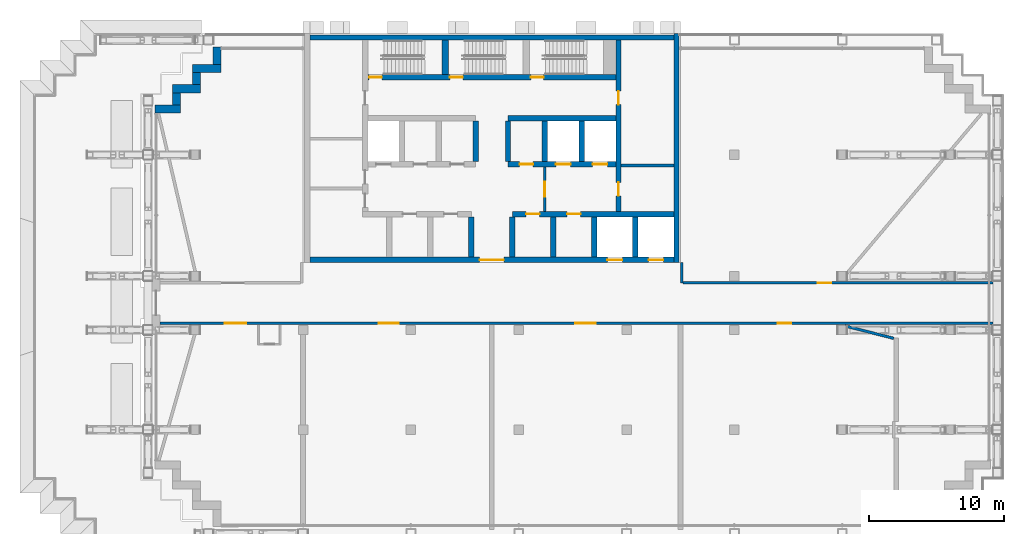
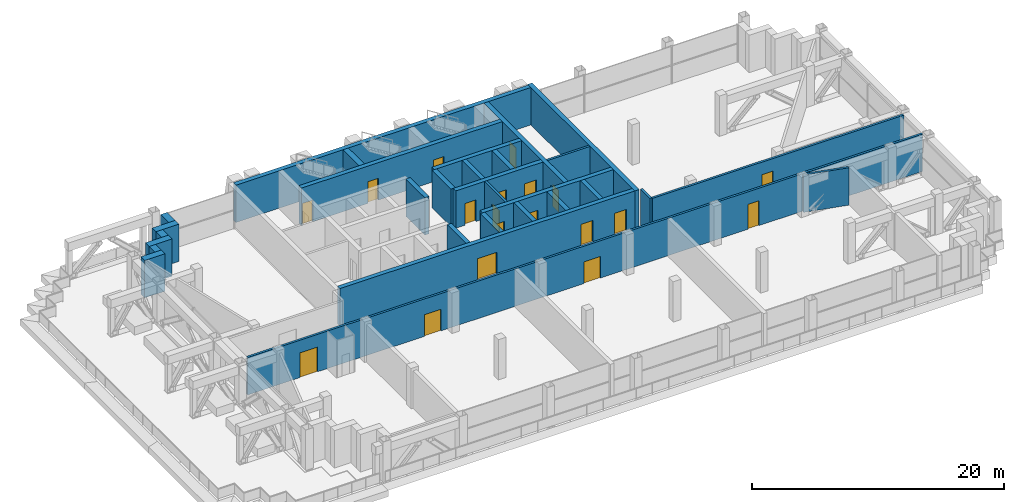
# One storey, part 8 of 21: 30 walls, 19 doors, 19 openings.
"""IFC4 building model written with IfcOpenShell, lengths in metres."""

from ifc_helpers import new_model, si_unit, direction, frame, frame_2d, origin, place, context, subcontext, project, spatial, rectangle, extrude, material, layer, layer_set, type_object, element, fill, save


model = new_model("IFC4")

# Units and contexts
model_context = context("Model", 3, precision=1e-05, world=origin(), true_north=direction((0.0, 1.0)))
body_context = subcontext(model_context, "Body", "Model", "MODEL_VIEW")
ifc_project = project(units=[si_unit("LENGTHUNIT", "METRE"), si_unit("AREAUNIT", "SQUARE_METRE"), si_unit("VOLUMEUNIT", "CUBIC_METRE"), si_unit("PLANEANGLEUNIT", "RADIAN"), si_unit("MASSUNIT", "GRAM", prefix="KILO")], contexts=[model_context])

# Site, building, storey
site_placement = place(None, origin())
site = spatial("IfcSite", under=ifc_project, at=site_placement, CompositionType="ELEMENT")
building_placement = place(site_placement, origin())
building = spatial("IfcBuilding", under=site, at=building_placement, Name="Vidyagriha Tower", CompositionType="ELEMENT")
storey_placement = place(building_placement, frame((0.0, 0.0, 161.39990234375)))
storey = spatial("IfcBuildingStorey", under=building, at=storey_placement, Name="L41", CompositionType="ELEMENT", Elevation=161.39990234375)

# Walls
ifc_material_1 = material(Name="Precast concrete C40/50 with brick facing", Category="concrete")
ifc_layer_1 = layer(ifc_material_1, 0.60009765625)
ifc_layer_set_1 = layer_set([ifc_layer_1], Name="Precast concrete C40/50 with brick facing")
wall_type_1 = type_object("IfcWallType", Name="Brick-faced precast wall 600", PredefinedType="STANDARD", material=ifc_layer_set_1)
wall_1_placement = place(storey_placement, frame((-20.39990234375, 18.97998046875, 0.0), z_axis=(0.0, 0.0, 1.0), x_axis=(0.0, -1.0, 0.0)))
element("IfcWall", 1, at=wall_1_placement, inside=storey, type_object=wall_type_1, Name="Stepped corner wall L41 R10", PredefinedType="STANDARD", context=body_context, shape_type="SweptSolid", body=[
    extrude(rectangle(XDim=1.280029296875, YDim=0.60009765625, at=frame_2d((0.64013671875, 0.0))), origin(), (0.0, 0.0, 1.0), 3.6201171875),
])
wall_2_placement = place(storey_placement, frame((-20.10009765625, 17.39990234375, 0.0), z_axis=(0.0, 0.0, 1.0), x_axis=(-1.0, 0.0, 0.0)))
element("IfcWall", 2, at=wall_2_placement, inside=storey, type_object=wall_type_1, Name="Stepped corner wall L41 R11", PredefinedType="STANDARD", context=body_context, shape_type="SweptSolid", body=[
    extrude(rectangle(XDim=2.099853515625, YDim=0.60009765625, at=frame_2d((1.0498046875, 0.0))), origin(), (0.0, 0.0, 1.0), 3.6201171875),
])
wall_3_placement = place(storey_placement, frame((-21.89990234375, 17.10009765625, 0.0), z_axis=(0.0, 0.0, 1.0), x_axis=(0.0, -1.0, 0.0)))
element("IfcWall", 3, at=wall_3_placement, inside=storey, type_object=wall_type_1, Name="Stepped corner wall L41 R12", PredefinedType="STANDARD", context=body_context, shape_type="SweptSolid", body=[
    extrude(rectangle(XDim=0.900146484375, YDim=0.60009765625, at=frame_2d((0.4501953125, 0.0))), origin(), (0.0, 0.0, 1.0), 3.6201171875),
])
wall_4_placement = place(storey_placement, frame((-21.60009765625, 15.89990234375, 0.0), z_axis=(0.0, 0.0, 1.0), x_axis=(-1.0, 0.0, 0.0)))
element("IfcWall", 4, at=wall_4_placement, inside=storey, type_object=wall_type_1, Name="Stepped corner wall L41 R13", PredefinedType="STANDARD", context=body_context, shape_type="SweptSolid", body=[
    extrude(rectangle(XDim=2.099853515625, YDim=0.60009765625, at=frame_2d((1.0498046875, 0.0))), origin(), (0.0, 0.0, 1.0), 3.6201171875),
])
wall_5_placement = place(storey_placement, frame((-23.39990234375, 15.60009765625, 0.0), z_axis=(0.0, 0.0, 1.0), x_axis=(0.0, -1.0, 0.0)))
element("IfcWall", 5, at=wall_5_placement, inside=storey, type_object=wall_type_1, Name="Stepped corner wall L41 R14", PredefinedType="STANDARD", context=body_context, shape_type="SweptSolid", body=[
    extrude(rectangle(XDim=0.900146484375, YDim=0.60009765625, at=frame_2d((0.4501953125, 0.0))), origin(), (0.0, 0.0, 1.0), 3.6201171875),
])
wall_6_placement = place(storey_placement, frame((-23.10009765625, 14.39990234375, 0.0), z_axis=(0.0, 0.0, 1.0), x_axis=(-1.0, 0.0, 0.0)))
element("IfcWall", 6, at=wall_6_placement, inside=storey, type_object=wall_type_1, Name="Stepped corner wall L41 R15", PredefinedType="STANDARD", context=body_context, shape_type="SweptSolid", body=[
    extrude(rectangle(XDim=1.8798828125, YDim=0.60009765625, at=frame_2d((0.93994140625, 0.0))), origin(), (0.0, 0.0, 1.0), 3.6201171875),
])
ifc_material_2 = material(Name="Concrete C60/75", Category="concrete")
ifc_layer_2 = layer(ifc_material_2, 0.39990234375)
ifc_layer_set_2 = layer_set([ifc_layer_2], Name="Concrete C60/75")
wall_type_2 = type_object("IfcWallType", Name="Core shear wall 400 mm", PredefinedType="SHEAR", material=ifc_layer_set_2)
wall_7_placement = place(storey_placement, frame((13.699951171875, 3.0, 0.0), z_axis=(0.0, 0.0, 1.0), x_axis=(0.0, 1.0, 0.0)))
element("IfcWall", 7, at=wall_7_placement, inside=storey, type_object=wall_type_2, Name="Core east wall", PredefinedType="SHEAR", context=body_context, shape_type="SweptSolid", body=[
    extrude(rectangle(XDim=17.0, YDim=0.39990234375, at=frame_2d((8.5, 0.0))), origin(), (0.0, 0.0, 1.0), 3.6201171875),
])
wall_8_placement = place(storey_placement, frame((-13.5, 19.699951171875, 0.0)))
element("IfcWall", 8, at=wall_8_placement, inside=storey, type_object=wall_type_2, Name="Core north wall", PredefinedType="SHEAR", context=body_context, shape_type="SweptSolid", body=[
    extrude(rectangle(XDim=27.0, YDim=0.39990234375, at=frame_2d((13.5, 0.0))), origin(), (0.0, 0.0, 1.0), 3.6201171875),
])

# Wall, openings, doors
wall_9_placement = place(storey_placement, frame((9.39990234375, 6.800048828125, 0.0), z_axis=(0.0, 0.0, 1.0), x_axis=(0.0, 1.0, 0.0)))
wall_9 = element("IfcWall", 9, at=wall_9_placement, inside=storey, type_object=wall_type_2, Name="Core east spine wall", PredefinedType="SHEAR", context=body_context, shape_type="SweptSolid", body=[
    extrude(rectangle(XDim=12.699951171875, YDim=0.39990234375, at=frame_2d((6.35009765625, 0.0))), origin(), (0.0, 0.0, 1.0), 3.6201171875),
])
opening_1_placement = place(wall_9_placement, frame((1.14990234375, 0.0, 0.0)))
opening_1 = element("IfcOpeningElement", 10, at=opening_1_placement, cuts=wall_9, Name="Opening D41-17", PredefinedType="OPENING", context=body_context, shape_type="SweptSolid", body=[
    extrude(rectangle(XDim=1.0, YDim=2.10009765625, at=frame_2d((0.5, 1.050048828125))), frame((0.0, 0.2099609375, 0.0), z_axis=(0.0, -1.0, 0.0), x_axis=(1.0, 0.0, 0.0)), (0.0, 0.0, 1.0), 0.419921875),
])
opening_2_placement = place(wall_9_placement, frame((7.925048828125, 0.0, 0.0)))
opening_2 = element("IfcOpeningElement", 11, at=opening_2_placement, cuts=wall_9, Name="Opening D41-18", PredefinedType="OPENING", context=body_context, shape_type="SweptSolid", body=[
    extrude(rectangle(XDim=1.0, YDim=2.10009765625, at=frame_2d((0.5, 1.050048828125))), frame((0.0, 0.2099609375, 0.0), z_axis=(0.0, -1.0, 0.0), x_axis=(1.0, 0.0, 0.0)), (0.0, 0.0, 1.0), 0.419921875),
])
ifc_material_3 = material(Name="Hollow metal door leaf")
door_type_1 = type_object("IfcDoorType", Name="Core room door 1000 x 2100 mm EI 60", OperationType="NOTDEFINED", PredefinedType="DOOR", material=ifc_material_3)
door_1_placement = place(opening_1_placement, origin())
door_1 = element("IfcDoor", 12, at=door_1_placement, inside=storey, type_object=door_type_1, Name="Door Electrical Room 41.E1", OperationType="SINGLE_SWING_RIGHT", OverallHeight=2.10009765625, OverallWidth=1.0, PredefinedType="DOOR", context=body_context, shape_type="SweptSolid", body=[
    extrude(rectangle(XDim=1.0, YDim=2.10009765625, at=frame_2d((0.5, 1.050048828125))), frame((0.0, 0.02490234375, 0.0), z_axis=(0.0, -1.0, 0.0), x_axis=(1.0, 0.0, 0.0)), (0.0, 0.0, 1.0), 0.050048828125),
])
fill(opening_1, door_1)
door_2_placement = place(opening_2_placement, origin())
door_2 = element("IfcDoor", 13, at=door_2_placement, inside=storey, type_object=door_type_1, Name="Door Refuse Room 41.E2", OperationType="SINGLE_SWING_LEFT", OverallHeight=2.10009765625, OverallWidth=1.0, PredefinedType="DOOR", context=body_context, shape_type="SweptSolid", body=[
    extrude(rectangle(XDim=1.0, YDim=2.10009765625, at=frame_2d((0.5, 1.050048828125))), frame((0.0, 0.02490234375, 0.0), z_axis=(0.0, -1.0, 0.0), x_axis=(1.0, 0.0, 0.0)), (0.0, 0.0, 1.0), 0.050048828125),
])
fill(opening_2, door_2)

wall_10_placement = place(storey_placement, frame((-13.5, 3.199951171875, 0.0)))
wall_10 = element("IfcWall", 14, at=wall_10_placement, inside=storey, type_object=wall_type_2, Name="Core front wall", PredefinedType="SHEAR", context=body_context, shape_type="SweptSolid", body=[
    extrude(rectangle(XDim=27.0, YDim=0.39990234375, at=frame_2d((13.5, 0.0))), origin(), (0.0, 0.0, 1.0), 3.6201171875),
])
opening_3_placement = place(wall_10_placement, frame((22.083251953125, 0.0, 0.0)))
opening_3 = element("IfcOpeningElement", 15, at=opening_3_placement, cuts=wall_10, Name="Opening LD41-01", PredefinedType="OPENING", context=body_context, shape_type="SweptSolid", body=[
    extrude(rectangle(XDim=1.10009765625, YDim=2.10009765625, at=frame_2d((0.550048828125, 1.050048828125))), frame((0.0, 0.2099609375, 0.0), z_axis=(0.0, -1.0, 0.0), x_axis=(1.0, 0.0, 0.0)), (0.0, 0.0, 1.0), 0.419921875),
])
opening_4_placement = place(wall_10_placement, frame((25.127685546875, 0.0, 0.0)))
opening_4 = element("IfcOpeningElement", 16, at=opening_4_placement, cuts=wall_10, Name="Opening LD41-02", PredefinedType="OPENING", context=body_context, shape_type="SweptSolid", body=[
    extrude(rectangle(XDim=1.10009765625, YDim=2.10009765625, at=frame_2d((0.550048828125, 1.050048828125))), frame((0.0, 0.2099609375, 0.0), z_axis=(0.0, -1.0, 0.0), x_axis=(1.0, 0.0, 0.0)), (0.0, 0.0, 1.0), 0.419921875),
])
opening_5_placement = place(wall_10_placement, frame((12.60009765625, 0.0, 0.0)))
opening_5 = element("IfcOpeningElement", 17, at=opening_5_placement, cuts=wall_10, Name="Opening D41-02", PredefinedType="OPENING", context=body_context, shape_type="SweptSolid", body=[
    extrude(rectangle(XDim=1.800048828125, YDim=2.10009765625, at=frame_2d((0.89990234375, 1.050048828125))), frame((0.0, 0.2099609375, 0.0), z_axis=(0.0, -1.0, 0.0), x_axis=(1.0, 0.0, 0.0)), (0.0, 0.0, 1.0), 0.419921875),
])
ifc_material_4 = material(Name="Hollow metal door leaf")
door_type_2 = type_object("IfcDoorType", Name="Core lobby double door 1800 x 2100 mm EI 60", OperationType="NOTDEFINED", PredefinedType="DOOR", material=ifc_material_4)
door_3_placement = place(opening_5_placement, frame((1.800048828125, 0.0, 0.0), z_axis=(0.0, 0.0, 1.0), x_axis=(-1.0, 0.0, 0.0)))
door_3 = element("IfcDoor", 18, at=door_3_placement, inside=storey, type_object=door_type_2, Name="Core entrance door L41", OperationType="DOUBLE_DOOR_SINGLE_SWING", OverallHeight=2.10009765625, OverallWidth=1.800048828125, PredefinedType="DOOR", context=body_context, shape_type="SweptSolid", body=[
    extrude(rectangle(XDim=1.800048828125, YDim=2.10009765625, at=frame_2d((0.89990234375, 1.050048828125))), frame((0.0, 0.02490234375, 0.0), z_axis=(0.0, -1.0, 0.0), x_axis=(1.0, 0.0, 0.0)), (0.0, 0.0, 1.0), 0.050048828125),
])
fill(opening_5, door_3)
ifc_material_5 = material(Name="Stainless steel sliding door panel", Category="steel")
door_type_3 = type_object("IfcDoorType", Name="Lift landing door 1100 x 2100 mm EI 90", OperationType="NOTDEFINED", PredefinedType="DOOR", material=ifc_material_5)
door_4_placement = place(opening_3_placement, origin())
door_4 = element("IfcDoor", 19, at=door_4_placement, inside=storey, type_object=door_type_3, Name="Landing door MR1 L41", OperationType="SLIDING_TO_LEFT", OverallHeight=2.10009765625, OverallWidth=1.10009765625, PredefinedType="DOOR", context=body_context, shape_type="SweptSolid", body=[
    extrude(rectangle(XDim=1.10009765625, YDim=2.10009765625, at=frame_2d((0.550048828125, 1.050048828125))), frame((0.0, 0.02490234375, 0.0), z_axis=(0.0, -1.0, 0.0), x_axis=(1.0, 0.0, 0.0)), (0.0, 0.0, 1.0), 0.050048828125),
])
fill(opening_3, door_4)
door_5_placement = place(opening_4_placement, origin())
door_5 = element("IfcDoor", 20, at=door_5_placement, inside=storey, type_object=door_type_3, Name="Landing door MR2 L41", OperationType="SLIDING_TO_LEFT", OverallHeight=2.10009765625, OverallWidth=1.10009765625, PredefinedType="DOOR", context=body_context, shape_type="SweptSolid", body=[
    extrude(rectangle(XDim=1.10009765625, YDim=2.10009765625, at=frame_2d((0.550048828125, 1.050048828125))), frame((0.0, 0.02490234375, 0.0), z_axis=(0.0, -1.0, 0.0), x_axis=(1.0, 0.0, 0.0)), (0.0, 0.0, 1.0), 0.050048828125),
])
fill(opening_4, door_5)

wall_11_placement = place(storey_placement, frame((1.522216796875, 6.60009765625, 0.0)))
wall_11 = element("IfcWall", 21, at=wall_11_placement, inside=storey, type_object=wall_type_2, Name="Core lobby south wall east", PredefinedType="SHEAR", context=body_context, shape_type="SweptSolid", body=[
    extrude(rectangle(XDim=11.977783203125, YDim=0.39990234375, at=frame_2d((5.98876953125, 0.0))), origin(), (0.0, 0.0, 1.0), 3.6201171875),
])
opening_6_placement = place(wall_11_placement, frame((1.022216796875, 0.0, 0.0)))
opening_6 = element("IfcOpeningElement", 22, at=opening_6_placement, cuts=wall_11, Name="Opening D41-05", PredefinedType="OPENING", context=body_context, shape_type="SweptSolid", body=[
    extrude(rectangle(XDim=1.0, YDim=2.10009765625, at=frame_2d((0.5, 1.050048828125))), frame((0.0, 0.2099609375, 0.0), z_axis=(0.0, -1.0, 0.0), x_axis=(1.0, 0.0, 0.0)), (0.0, 0.0, 1.0), 0.419921875),
])
opening_7_placement = place(wall_11_placement, frame((4.066650390625, 0.0, 0.0)))
opening_7 = element("IfcOpeningElement", 23, at=opening_7_placement, cuts=wall_11, Name="Opening D41-06", PredefinedType="OPENING", context=body_context, shape_type="SweptSolid", body=[
    extrude(rectangle(XDim=1.0, YDim=2.10009765625, at=frame_2d((0.5, 1.050048828125))), frame((0.0, 0.2099609375, 0.0), z_axis=(0.0, -1.0, 0.0), x_axis=(1.0, 0.0, 0.0)), (0.0, 0.0, 1.0), 0.419921875),
])
door_6_placement = place(opening_6_placement, origin())
door_6 = element("IfcDoor", 24, at=door_6_placement, inside=storey, type_object=door_type_1, Name="Door Electrical Room 41.03", OperationType="SINGLE_SWING_RIGHT", OverallHeight=2.10009765625, OverallWidth=1.0, PredefinedType="DOOR", context=body_context, shape_type="SweptSolid", body=[
    extrude(rectangle(XDim=1.0, YDim=2.10009765625, at=frame_2d((0.5, 1.050048828125))), frame((0.0, 0.02490234375, 0.0), z_axis=(0.0, -1.0, 0.0), x_axis=(1.0, 0.0, 0.0)), (0.0, 0.0, 1.0), 0.050048828125),
])
fill(opening_6, door_6)
door_7_placement = place(opening_7_placement, origin())
door_7 = element("IfcDoor", 25, at=door_7_placement, inside=storey, type_object=door_type_1, Name="Door Communications Room 41.04", OperationType="SINGLE_SWING_RIGHT", OverallHeight=2.10009765625, OverallWidth=1.0, PredefinedType="DOOR", context=body_context, shape_type="SweptSolid", body=[
    extrude(rectangle(XDim=1.0, YDim=2.10009765625, at=frame_2d((0.5, 1.050048828125))), frame((0.0, 0.02490234375, 0.0), z_axis=(0.0, -1.0, 0.0), x_axis=(1.0, 0.0, 0.0)), (0.0, 0.0, 1.0), 0.050048828125),
])
fill(opening_7, door_7)

# Walls
for number, where, z_axis, x_axis, name in (
    (26, (-1.522216796875, 3.39990234375, 0.0), (0.0, 0.0, 1.0), (0.0, 1.0, 0.0), "Core bay wall S4"),
    (27, (1.522216796875, 3.39990234375, 0.0), (0.0, 0.0, 1.0), (0.0, 1.0, 0.0), "Core bay wall S5"),
    (28, (4.566650390625, 3.39990234375, 0.0), (0.0, 0.0, 1.0), (0.0, 1.0, 0.0), "Core bay wall S6"),
    (29, (7.611083984375, 3.39990234375, 0.0), (0.0, 0.0, 1.0), (0.0, 1.0, 0.0), "Core bay wall S7"),
    (30, (10.655517578125, 3.39990234375, 0.0), (0.0, 0.0, 1.0), (0.0, 1.0, 0.0), "Core bay wall S8"),
):
    element("IfcWall", number, at=place(storey_placement, frame(where, z_axis=z_axis, x_axis=x_axis)), inside=storey, type_object=wall_type_2, Name=name, PredefinedType="SHEAR", context=body_context, shape_type="SweptSolid", body=[
        extrude(rectangle(XDim=3.0, YDim=0.39990234375, at=frame_2d((1.5, 0.0))), origin(), (0.0, 0.0, 1.0), 3.6201171875),
    ])

# Wall, openings, doors
wall_12_placement = place(storey_placement, frame((1.199951171875, 10.300048828125, 0.0)))
wall_12 = element("IfcWall", 31, at=wall_12_placement, inside=storey, type_object=wall_type_2, Name="Core row N front wall", PredefinedType="SHEAR", context=body_context, shape_type="SweptSolid", body=[
    extrude(rectangle(XDim=8.0, YDim=0.39990234375, at=frame_2d((4.0, 0.0))), origin(), (0.0, 0.0, 1.0), 3.6201171875),
])
opening_8_placement = place(wall_12_placement, frame((3.550048828125, 0.0, 0.0)))
opening_8 = element("IfcOpeningElement", 32, at=opening_8_placement, cuts=wall_12, Name="Opening LD41-04", PredefinedType="OPENING", context=body_context, shape_type="SweptSolid", body=[
    extrude(rectangle(XDim=1.10009765625, YDim=2.10009765625, at=frame_2d((0.550048828125, 1.050048828125))), frame((0.0, 0.2099609375, 0.0), z_axis=(0.0, -1.0, 0.0), x_axis=(1.0, 0.0, 0.0)), (0.0, 0.0, 1.0), 0.419921875),
])
opening_9_placement = place(wall_12_placement, frame((6.283203125, 0.0, 0.0)))
opening_9 = element("IfcOpeningElement", 33, at=opening_9_placement, cuts=wall_12, Name="Opening LD41-05", PredefinedType="OPENING", context=body_context, shape_type="SweptSolid", body=[
    extrude(rectangle(XDim=1.10009765625, YDim=2.10009765625, at=frame_2d((0.550048828125, 1.050048828125))), frame((0.0, 0.2099609375, 0.0), z_axis=(0.0, -1.0, 0.0), x_axis=(1.0, 0.0, 0.0)), (0.0, 0.0, 1.0), 0.419921875),
])
opening_10_placement = place(wall_12_placement, frame((0.86669921875, 0.0, 0.0)))
opening_10 = element("IfcOpeningElement", 34, at=opening_10_placement, cuts=wall_12, Name="Opening D41-09", PredefinedType="OPENING", context=body_context, shape_type="SweptSolid", body=[
    extrude(rectangle(XDim=1.0, YDim=2.10009765625, at=frame_2d((0.5, 1.050048828125))), frame((0.0, 0.2099609375, 0.0), z_axis=(0.0, -1.0, 0.0), x_axis=(1.0, 0.0, 0.0)), (0.0, 0.0, 1.0), 0.419921875),
])
door_8_placement = place(opening_10_placement, frame((1.0, 0.0, 0.0), z_axis=(0.0, 0.0, 1.0), x_axis=(-1.0, 0.0, 0.0)))
door_8 = element("IfcDoor", 35, at=door_8_placement, inside=storey, type_object=door_type_1, Name="Door Storage Room 41.16", OperationType="SINGLE_SWING_LEFT", OverallHeight=2.10009765625, OverallWidth=1.0, PredefinedType="DOOR", context=body_context, shape_type="SweptSolid", body=[
    extrude(rectangle(XDim=1.0, YDim=2.10009765625, at=frame_2d((0.5, 1.050048828125))), frame((0.0, 0.02490234375, 0.0), z_axis=(0.0, -1.0, 0.0), x_axis=(1.0, 0.0, 0.0)), (0.0, 0.0, 1.0), 0.050048828125),
])
fill(opening_10, door_8)
door_9_placement = place(opening_8_placement, origin())
door_9 = element("IfcDoor", 36, at=door_9_placement, inside=storey, type_object=door_type_3, Name="Landing door FF1 L41", OperationType="SLIDING_TO_LEFT", OverallHeight=2.10009765625, OverallWidth=1.10009765625, PredefinedType="DOOR", context=body_context, shape_type="SweptSolid", body=[
    extrude(rectangle(XDim=1.10009765625, YDim=2.10009765625, at=frame_2d((0.550048828125, 1.050048828125))), frame((0.0, 0.02490234375, 0.0), z_axis=(0.0, -1.0, 0.0), x_axis=(1.0, 0.0, 0.0)), (0.0, 0.0, 1.0), 0.050048828125),
])
fill(opening_8, door_9)
door_10_placement = place(opening_9_placement, origin())
door_10 = element("IfcDoor", 37, at=door_10_placement, inside=storey, type_object=door_type_3, Name="Landing door FF2 L41", OperationType="SLIDING_TO_LEFT", OverallHeight=2.10009765625, OverallWidth=1.10009765625, PredefinedType="DOOR", context=body_context, shape_type="SweptSolid", body=[
    extrude(rectangle(XDim=1.10009765625, YDim=2.10009765625, at=frame_2d((0.550048828125, 1.050048828125))), frame((0.0, 0.02490234375, 0.0), z_axis=(0.0, -1.0, 0.0), x_axis=(1.0, 0.0, 0.0)), (0.0, 0.0, 1.0), 0.050048828125),
])
fill(opening_9, door_10)

# Walls
wall_13_placement = place(storey_placement, frame((1.199951171875, 13.699951171875, 0.0)))
element("IfcWall", 38, at=wall_13_placement, inside=storey, type_object=wall_type_2, Name="Core row N rear wall", PredefinedType="SHEAR", context=body_context, shape_type="SweptSolid", body=[
    extrude(rectangle(XDim=8.0, YDim=0.39990234375, at=frame_2d((4.0, 0.0))), origin(), (0.0, 0.0, 1.0), 3.6201171875),
])
for number, where, z_axis, x_axis, name in (
    (39, (-1.199951171875, 10.5, 0.0), (0.0, 0.0, 1.0), (0.0, 1.0, 0.0), "Core bay wall N3"),
    (40, (1.199951171875, 10.5, 0.0), (0.0, 0.0, 1.0), (0.0, 1.0, 0.0), "Core bay wall N4"),
    (41, (3.933349609375, 10.5, 0.0), (0.0, 0.0, 1.0), (0.0, 1.0, 0.0), "Core bay wall N5"),
    (42, (6.666748046875, 10.5, 0.0), (0.0, 0.0, 1.0), (0.0, 1.0, 0.0), "Core bay wall N6"),
):
    element("IfcWall", number, at=place(storey_placement, frame(where, z_axis=z_axis, x_axis=x_axis)), inside=storey, type_object=wall_type_2, Name=name, PredefinedType="SHEAR", context=body_context, shape_type="SweptSolid", body=[
        extrude(rectangle(XDim=3.0, YDim=0.39990234375, at=frame_2d((1.5, 0.0))), origin(), (0.0, 0.0, 1.0), 3.6201171875),
    ])

# Wall, openings, doors
wall_14_placement = place(storey_placement, frame((-9.199951171875, 16.75, 0.0)))
wall_14 = element("IfcWall", 43, at=wall_14_placement, inside=storey, type_object=wall_type_2, Name="Stair front wall", PredefinedType="SHEAR", context=body_context, shape_type="SweptSolid", body=[
    extrude(rectangle(XDim=18.39990234375, YDim=0.39990234375, at=frame_2d((9.199951171875, 0.0))), origin(), (0.0, 0.0, 1.0), 3.6201171875),
])
opening_11_placement = place(wall_14_placement, frame((0.10009765625, 0.0, 0.0)))
opening_11 = element("IfcOpeningElement", 44, at=opening_11_placement, cuts=wall_14, Name="Opening D41-11", PredefinedType="OPENING", context=body_context, shape_type="SweptSolid", body=[
    extrude(rectangle(XDim=0.949951171875, YDim=2.10009765625, at=frame_2d((0.47509765625, 1.050048828125))), frame((0.0, 0.2099609375, 0.0), z_axis=(0.0, -1.0, 0.0), x_axis=(1.0, 0.0, 0.0)), (0.0, 0.0, 1.0), 0.419921875),
])
opening_12_placement = place(wall_14_placement, frame((6.10009765625, 0.0, 0.0)))
opening_12 = element("IfcOpeningElement", 45, at=opening_12_placement, cuts=wall_14, Name="Opening D41-12", PredefinedType="OPENING", context=body_context, shape_type="SweptSolid", body=[
    extrude(rectangle(XDim=0.949951171875, YDim=2.10009765625, at=frame_2d((0.47509765625, 1.050048828125))), frame((0.0, 0.2099609375, 0.0), z_axis=(0.0, -1.0, 0.0), x_axis=(1.0, 0.0, 0.0)), (0.0, 0.0, 1.0), 0.419921875),
])
opening_13_placement = place(wall_14_placement, frame((12.10009765625, 0.0, 0.0)))
opening_13 = element("IfcOpeningElement", 46, at=opening_13_placement, cuts=wall_14, Name="Opening D41-13", PredefinedType="OPENING", context=body_context, shape_type="SweptSolid", body=[
    extrude(rectangle(XDim=0.949951171875, YDim=2.10009765625, at=frame_2d((0.47509765625, 1.050048828125))), frame((0.0, 0.2099609375, 0.0), z_axis=(0.0, -1.0, 0.0), x_axis=(1.0, 0.0, 0.0)), (0.0, 0.0, 1.0), 0.419921875),
])
ifc_material_6 = material(Name="Hollow metal door leaf")
door_type_4 = type_object("IfcDoorType", Name="Exit stair door 950 x 2100 mm EI 90", OperationType="NOTDEFINED", PredefinedType="DOOR", material=ifc_material_6)
door_11_placement = place(opening_11_placement, origin())
door_11 = element("IfcDoor", 47, at=door_11_placement, inside=storey, type_object=door_type_4, Name="Stair door ST1 L41", OperationType="SINGLE_SWING_LEFT", OverallHeight=2.10009765625, OverallWidth=0.949951171875, PredefinedType="DOOR", context=body_context, shape_type="SweptSolid", body=[
    extrude(rectangle(XDim=0.949951171875, YDim=2.10009765625, at=frame_2d((0.47509765625, 1.050048828125))), frame((0.0, 0.02490234375, 0.0), z_axis=(0.0, -1.0, 0.0), x_axis=(1.0, 0.0, 0.0)), (0.0, 0.0, 1.0), 0.050048828125),
])
fill(opening_11, door_11)
door_12_placement = place(opening_12_placement, origin())
door_12 = element("IfcDoor", 48, at=door_12_placement, inside=storey, type_object=door_type_4, Name="Stair door ST2 L41", OperationType="SINGLE_SWING_LEFT", OverallHeight=2.10009765625, OverallWidth=0.949951171875, PredefinedType="DOOR", context=body_context, shape_type="SweptSolid", body=[
    extrude(rectangle(XDim=0.949951171875, YDim=2.10009765625, at=frame_2d((0.47509765625, 1.050048828125))), frame((0.0, 0.02490234375, 0.0), z_axis=(0.0, -1.0, 0.0), x_axis=(1.0, 0.0, 0.0)), (0.0, 0.0, 1.0), 0.050048828125),
])
fill(opening_12, door_12)
door_13_placement = place(opening_13_placement, origin())
door_13 = element("IfcDoor", 49, at=door_13_placement, inside=storey, type_object=door_type_4, Name="Stair door ST3 L41", OperationType="SINGLE_SWING_LEFT", OverallHeight=2.10009765625, OverallWidth=0.949951171875, PredefinedType="DOOR", context=body_context, shape_type="SweptSolid", body=[
    extrude(rectangle(XDim=0.949951171875, YDim=2.10009765625, at=frame_2d((0.47509765625, 1.050048828125))), frame((0.0, 0.02490234375, 0.0), z_axis=(0.0, -1.0, 0.0), x_axis=(1.0, 0.0, 0.0)), (0.0, 0.0, 1.0), 0.050048828125),
])
fill(opening_13, door_13)

# Wall
ifc_material_7 = material(Name="Concrete C60/75", Category="concrete")
ifc_layer_3 = layer(ifc_material_7, 0.5)
ifc_layer_set_3 = layer_set([ifc_layer_3], Name="Concrete C60/75")
wall_type_3 = type_object("IfcWallType", Name="Core shear wall 500 mm", PredefinedType="SHEAR", material=ifc_layer_set_3)
wall_15_placement = place(storey_placement, frame((-3.449951171875, 16.949951171875, 0.0), z_axis=(0.0, 0.0, 1.0), x_axis=(0.0, 1.0, 0.0)))
element("IfcWall", 50, at=wall_15_placement, inside=storey, type_object=wall_type_3, Name="Stair partition wall 1", PredefinedType="SHEAR", context=body_context, shape_type="SweptSolid", body=[
    extrude(rectangle(XDim=2.550048828125, YDim=0.5, at=frame_2d((1.27490234375, 0.0))), origin(), (0.0, 0.0, 1.0), 3.6201171875),
])

# Wall, opening, door
ifc_material_8 = material(Name="Blockwork 15 MPa", Category="masonry")
ifc_layer_4 = layer(ifc_material_8, 0.199951171875)
ifc_layer_set_4 = layer_set([ifc_layer_4], Name="Blockwork 15 MPa")
wall_type_4 = type_object("IfcWallType", Name="Service room partition 200 mm", PredefinedType="PARTITIONING", material=ifc_layer_set_4)
wall_16_placement = place(storey_placement, frame((3.933349609375, 6.800048828125, 0.0), z_axis=(0.0, 0.0, 1.0), x_axis=(0.0, 1.0, 0.0)))
wall_16 = element("IfcWall", 51, at=wall_16_placement, inside=storey, type_object=wall_type_4, Name="Fire-fighting lobby west wall", PredefinedType="PARTITIONING", context=body_context, shape_type="SweptSolid", body=[
    extrude(rectangle(XDim=3.300048828125, YDim=0.199951171875, at=frame_2d((1.64990234375, 0.0))), origin(), (0.0, 0.0, 1.0), 3.6201171875),
])
opening_14_placement = place(wall_16_placement, frame((1.10009765625, 0.0, 0.0)))
opening_14 = element("IfcOpeningElement", 52, at=opening_14_placement, cuts=wall_16, Name="Opening D41-10", PredefinedType="OPENING", context=body_context, shape_type="SweptSolid", body=[
    extrude(rectangle(XDim=1.10009765625, YDim=2.10009765625, at=frame_2d((0.550048828125, 1.050048828125))), frame((0.0, 0.10986328125, 0.0), z_axis=(0.0, -1.0, 0.0), x_axis=(1.0, 0.0, 0.0)), (0.0, 0.0, 1.0), 0.219970703125),
])
ifc_material_9 = material(Name="Hollow metal door leaf")
door_type_5 = type_object("IfcDoorType", Name="Fire-fighting lobby door 1100 x 2100 mm EI 90", OperationType="NOTDEFINED", PredefinedType="DOOR", material=ifc_material_9)
door_14_placement = place(opening_14_placement, origin())
door_14 = element("IfcDoor", 53, at=door_14_placement, inside=storey, type_object=door_type_5, Name="Fire-fighting lobby door L41", OperationType="SINGLE_SWING_RIGHT", OverallHeight=2.10009765625, OverallWidth=1.10009765625, PredefinedType="DOOR", context=body_context, shape_type="SweptSolid", body=[
    extrude(rectangle(XDim=1.10009765625, YDim=2.10009765625, at=frame_2d((0.550048828125, 1.050048828125))), frame((0.0, 0.02490234375, 0.0), z_axis=(0.0, -1.0, 0.0), x_axis=(1.0, 0.0, 0.0)), (0.0, 0.0, 1.0), 0.050048828125),
])
fill(opening_14, door_14)

# Wall
wall_17_placement = place(storey_placement, frame((9.60009765625, 10.199951171875, 0.0)))
element("IfcWall", 54, at=wall_17_placement, inside=storey, type_object=wall_type_4, Name="Core room partition E1", PredefinedType="PARTITIONING", context=body_context, shape_type="SweptSolid", body=[
    extrude(rectangle(XDim=3.89990234375, YDim=0.199951171875, at=frame_2d((1.949951171875, 0.0))), origin(), (0.0, 0.0, 1.0), 3.6201171875),
])

# Wall, openings, doors
wall_18_placement = place(storey_placement, frame((-24.60009765625, -1.5, 0.0)))
wall_18 = element("IfcWall", 55, at=wall_18_placement, inside=storey, type_object=wall_type_4, Name="Plant corridor south wall", PredefinedType="PARTITIONING", context=body_context, shape_type="SweptSolid", body=[
    extrude(rectangle(XDim=61.800048828125, YDim=0.199951171875, at=frame_2d((30.89990234375, 0.0))), origin(), (0.0, 0.0, 1.0), 3.6201171875),
])
opening_15_placement = place(wall_18_placement, frame((4.800048828125, 0.0, 0.0)))
opening_15 = element("IfcOpeningElement", 56, at=opening_15_placement, cuts=wall_18, Name="Opening D41-19", PredefinedType="OPENING", context=body_context, shape_type="SweptSolid", body=[
    extrude(rectangle(XDim=1.60009765625, YDim=2.39990234375, at=frame_2d((0.800048828125, 1.199951171875))), frame((0.0, 0.10986328125, 0.0), z_axis=(0.0, -1.0, 0.0), x_axis=(1.0, 0.0, 0.0)), (0.0, 0.0, 1.0), 0.219970703125),
])
opening_16_placement = place(wall_18_placement, frame((16.199951171875, 0.0, 0.0)))
opening_16 = element("IfcOpeningElement", 57, at=opening_16_placement, cuts=wall_18, Name="Opening D41-21", PredefinedType="OPENING", context=body_context, shape_type="SweptSolid", body=[
    extrude(rectangle(XDim=1.5, YDim=2.10009765625, at=frame_2d((0.75, 1.050048828125))), frame((0.0, 0.10986328125, 0.0), z_axis=(0.0, -1.0, 0.0), x_axis=(1.0, 0.0, 0.0)), (0.0, 0.0, 1.0), 0.219970703125),
])
opening_17_placement = place(wall_18_placement, frame((30.800048828125, 0.0, 0.0)))
opening_17 = element("IfcOpeningElement", 58, at=opening_17_placement, cuts=wall_18, Name="Opening D41-22", PredefinedType="OPENING", context=body_context, shape_type="SweptSolid", body=[
    extrude(rectangle(XDim=1.5, YDim=2.10009765625, at=frame_2d((0.75, 1.050048828125))), frame((0.0, 0.10986328125, 0.0), z_axis=(0.0, -1.0, 0.0), x_axis=(1.0, 0.0, 0.0)), (0.0, 0.0, 1.0), 0.219970703125),
])
opening_18_placement = place(wall_18_placement, frame((45.800048828125, 0.0, 0.0)))
opening_18 = element("IfcOpeningElement", 59, at=opening_18_placement, cuts=wall_18, Name="Opening D41-23", PredefinedType="OPENING", context=body_context, shape_type="SweptSolid", body=[
    extrude(rectangle(XDim=1.0, YDim=2.39990234375, at=frame_2d((0.5, 1.199951171875))), frame((0.0, 0.10986328125, 0.0), z_axis=(0.0, -1.0, 0.0), x_axis=(1.0, 0.0, 0.0)), (0.0, 0.0, 1.0), 0.219970703125),
])
ifc_material_10 = material(Name="Hollow metal door leaf")
door_type_6 = type_object("IfcDoorType", Name="Electrical room door 1000 x 2400 mm EI 90", OperationType="NOTDEFINED", PredefinedType="DOOR", material=ifc_material_10)
door_15_placement = place(opening_18_placement, origin())
door_15 = element("IfcDoor", 60, at=door_15_placement, inside=storey, type_object=door_type_6, Name="Door Transformer Room 41.04", OperationType="SINGLE_SWING_LEFT", OverallHeight=2.39990234375, OverallWidth=1.0, PredefinedType="DOOR", context=body_context, shape_type="SweptSolid", body=[
    extrude(rectangle(XDim=1.0, YDim=2.39990234375, at=frame_2d((0.5, 1.199951171875))), frame((0.0, 0.02490234375, 0.0), z_axis=(0.0, -1.0, 0.0), x_axis=(1.0, 0.0, 0.0)), (0.0, 0.0, 1.0), 0.050048828125),
])
fill(opening_18, door_15)
ifc_material_11 = material(Name="Hollow metal door leaf")
door_type_7 = type_object("IfcDoorType", Name="Plant room double door 1600 x 2400 mm EI 90", OperationType="NOTDEFINED", PredefinedType="DOOR", material=ifc_material_11)
door_16_placement = place(opening_15_placement, origin())
door_16 = element("IfcDoor", 61, at=door_16_placement, inside=storey, type_object=door_type_7, Name="Door Telecommunications Room 41.01", OperationType="DOUBLE_DOOR_SINGLE_SWING", OverallHeight=2.39990234375, OverallWidth=1.60009765625, PredefinedType="DOOR", context=body_context, shape_type="SweptSolid", body=[
    extrude(rectangle(XDim=1.60009765625, YDim=2.39990234375, at=frame_2d((0.800048828125, 1.199951171875))), frame((0.0, 0.02490234375, 0.0), z_axis=(0.0, -1.0, 0.0), x_axis=(1.0, 0.0, 0.0)), (0.0, 0.0, 1.0), 0.050048828125),
])
fill(opening_15, door_16)
ifc_material_12 = material(Name="Hollow metal door leaf")
door_type_8 = type_object("IfcDoorType", Name="Refuge area double door 1500 x 2100 mm EI 90", OperationType="NOTDEFINED", PredefinedType="DOOR", material=ifc_material_12)
door_17_placement = place(opening_16_placement, origin())
door_17 = element("IfcDoor", 62, at=door_17_placement, inside=storey, type_object=door_type_8, Name="Door Refuge Area 41.1", OperationType="DOUBLE_DOOR_SINGLE_SWING", OverallHeight=2.10009765625, OverallWidth=1.5, PredefinedType="DOOR", context=body_context, shape_type="SweptSolid", body=[
    extrude(rectangle(XDim=1.5, YDim=2.10009765625, at=frame_2d((0.75, 1.050048828125))), frame((0.0, 0.02490234375, 0.0), z_axis=(0.0, -1.0, 0.0), x_axis=(1.0, 0.0, 0.0)), (0.0, 0.0, 1.0), 0.050048828125),
])
fill(opening_16, door_17)
door_18_placement = place(opening_17_placement, origin())
door_18 = element("IfcDoor", 63, at=door_18_placement, inside=storey, type_object=door_type_8, Name="Door Refuge Area 41.2", OperationType="DOUBLE_DOOR_SINGLE_SWING", OverallHeight=2.10009765625, OverallWidth=1.5, PredefinedType="DOOR", context=body_context, shape_type="SweptSolid", body=[
    extrude(rectangle(XDim=1.5, YDim=2.10009765625, at=frame_2d((0.75, 1.050048828125))), frame((0.0, 0.02490234375, 0.0), z_axis=(0.0, -1.0, 0.0), x_axis=(1.0, 0.0, 0.0)), (0.0, 0.0, 1.0), 0.050048828125),
])
fill(opening_17, door_18)

# Wall, opening, door
wall_19_placement = place(storey_placement, frame((14.199951171875, 1.5, 0.0)))
wall_19 = element("IfcWall", 64, at=wall_19_placement, inside=storey, type_object=wall_type_4, Name="Plant corridor north wall east", PredefinedType="PARTITIONING", context=body_context, shape_type="SweptSolid", body=[
    extrude(rectangle(XDim=23.0, YDim=0.199951171875, at=frame_2d((11.5, 0.0))), origin(), (0.0, 0.0, 1.0), 3.6201171875),
])
opening_19_placement = place(wall_19_placement, frame((10.0, 0.0, 0.0)))
opening_19 = element("IfcOpeningElement", 65, at=opening_19_placement, cuts=wall_19, Name="Opening D41-25", PredefinedType="OPENING", context=body_context, shape_type="SweptSolid", body=[
    extrude(rectangle(XDim=1.0, YDim=2.39990234375, at=frame_2d((0.5, 1.199951171875))), frame((0.0, 0.10986328125, 0.0), z_axis=(0.0, -1.0, 0.0), x_axis=(1.0, 0.0, 0.0)), (0.0, 0.0, 1.0), 0.219970703125),
])
door_19_placement = place(opening_19_placement, frame((1.0, 0.0, 0.0), z_axis=(0.0, 0.0, 1.0), x_axis=(-1.0, 0.0, 0.0)))
door_19 = element("IfcDoor", 66, at=door_19_placement, inside=storey, type_object=door_type_6, Name="Door Battery Room 41.E1", OperationType="SINGLE_SWING_LEFT", OverallHeight=2.39990234375, OverallWidth=1.0, PredefinedType="DOOR", context=body_context, shape_type="SweptSolid", body=[
    extrude(rectangle(XDim=1.0, YDim=2.39990234375, at=frame_2d((0.5, 1.199951171875))), frame((0.0, 0.02490234375, 0.0), z_axis=(0.0, -1.0, 0.0), x_axis=(1.0, 0.0, 0.0)), (0.0, 0.0, 1.0), 0.050048828125),
])
fill(opening_19, door_19)

# Walls
wall_20_placement = place(storey_placement, frame((14.10009765625, 1.5, 0.0), z_axis=(0.0, 0.0, 1.0), x_axis=(0.0, 1.0, 0.0)))
element("IfcWall", 67, at=wall_20_placement, inside=storey, type_object=wall_type_4, Name="Lift hall east return wall", PredefinedType="PARTITIONING", context=body_context, shape_type="SweptSolid", body=[
    extrude(rectangle(XDim=1.5, YDim=0.199951171875, at=frame_2d((0.75, 0.0))), origin(), (0.0, 0.0, 1.0), 3.6201171875),
])
wall_21_placement = place(storey_placement, frame((26.1884765625, -1.69140625, 0.0), z_axis=(0.0, 0.0, 1.0), x_axis=(0.968901785071, -0.247445611978, 0.0)))
element("IfcWall", 68, at=wall_21_placement, inside=storey, type_object=wall_type_4, Name="Plant room wall", PredefinedType="PARTITIONING", context=body_context, shape_type="SweptSolid", body=[
    extrude(rectangle(XDim=3.753173828125, YDim=0.199951171875, at=frame_2d((1.87646484375, 0.0))), origin(), (0.0, 0.0, 1.0), 3.6201171875),
])

save(model, "model.ifc")
